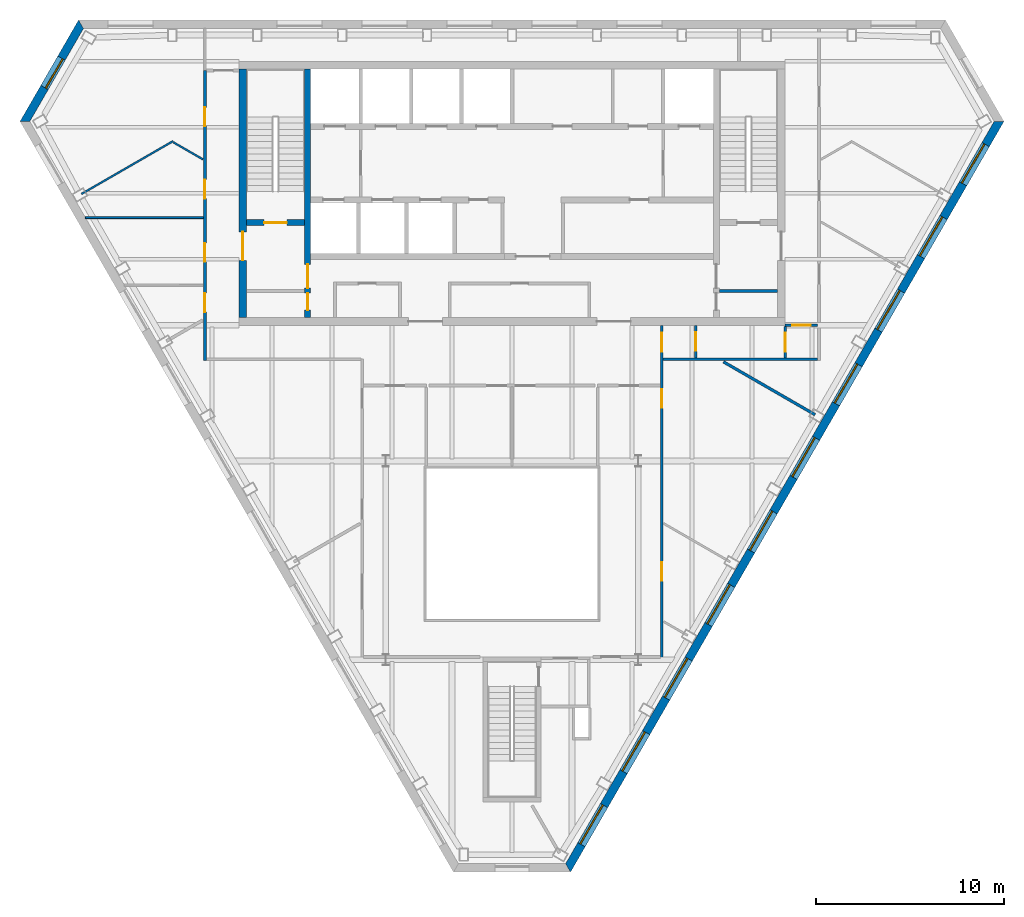
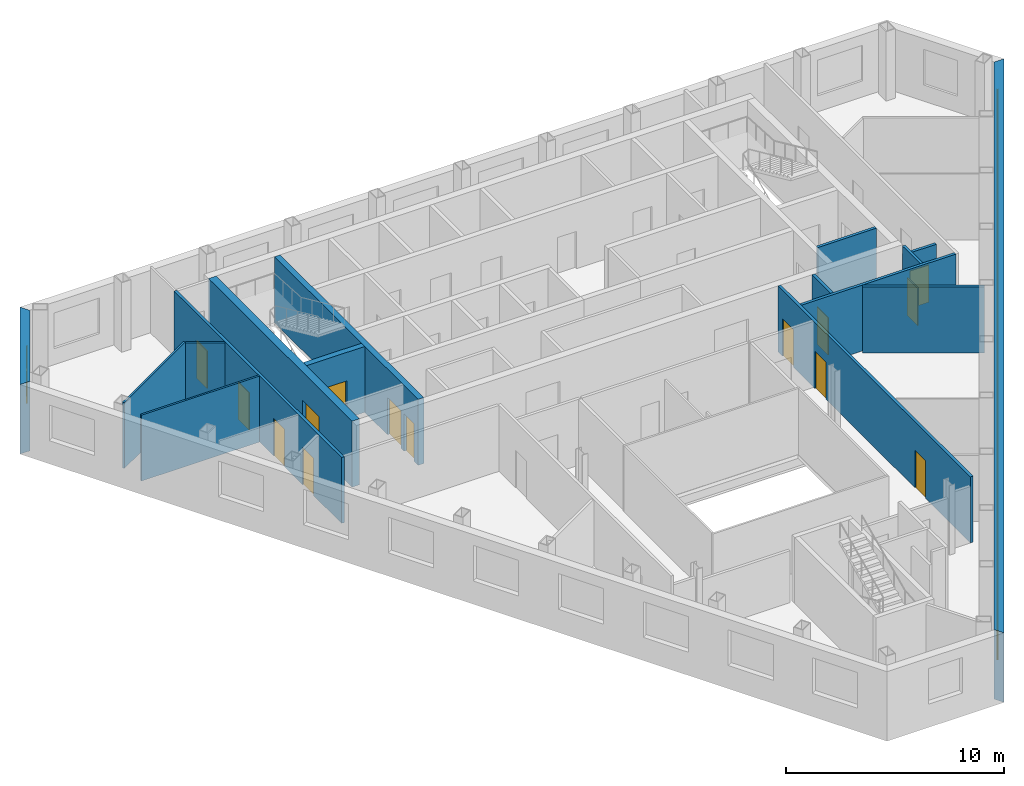
# One storey, part 5 of 10: 16 walls, 14 doors, 11 windows, 25 openings.
"""IFC4 building model written with IfcOpenShell, lengths in metres."""

from ifc_helpers import new_model, si_unit, direction, frame, frame_2d, origin, place, context, subcontext, project, spatial, polyline, rectangle, outline, extrude, material, layer, layer_set, type_object, element, fill, save


model = new_model("IFC4")

# Units and contexts
model_context = context("Model", 3, precision=1e-05, world=origin(), true_north=direction((0.0, 1.0)))
body_context = subcontext(model_context, "Body", "Model", "MODEL_VIEW")
ifc_project = project(units=[si_unit("LENGTHUNIT", "METRE"), si_unit("AREAUNIT", "SQUARE_METRE"), si_unit("VOLUMEUNIT", "CUBIC_METRE"), si_unit("PLANEANGLEUNIT", "RADIAN"), si_unit("MASSUNIT", "GRAM", prefix="KILO")], contexts=[model_context])

# Site, building, storey
site_placement = place(None, origin())
site = spatial("IfcSite", under=ifc_project, at=site_placement, CompositionType="ELEMENT")
building_placement = place(site_placement, origin())
building = spatial("IfcBuilding", under=site, at=building_placement, Name="Njiva Tower", CompositionType="ELEMENT")
storey_placement = place(building_placement, frame((0.0, 0.0, 249.3)))
storey = spatial("IfcBuildingStorey", under=building, at=storey_placement, Name="L56", CompositionType="ELEMENT", Elevation=249.3)

# Wall
ifc_material_1 = material(Name="Blockwork", Category="masonry")
ifc_layer_1 = layer(ifc_material_1, 0.15)
ifc_layer_set_1 = layer_set([ifc_layer_1], Name="Blockwork")
wall_type_1 = type_object("IfcWallType", Name="WT1 Compartment partition 150", PredefinedType="PARTITIONING", material=ifc_layer_set_1)
wall_1_placement = place(storey_placement, frame((11.0, 5.825, 0.0), z_axis=(0.0, 0.0, 1.0), x_axis=(1.0, 0.0, 0.0)))
element("IfcWall", 1, at=wall_1_placement, inside=storey, type_object=wall_type_1, Name="Room wall B", PredefinedType="PARTITIONING", context=body_context, shape_type="SweptSolid", body=[
    extrude(rectangle(XDim=3.1, YDim=0.15, at=frame_2d((1.55, 0.0))), origin(), (0.0, 0.0, 1.0), 3.7),
])

# Wall, openings, doors
ifc_material_2 = material(Name="Concrete C40/50", Category="concrete")
ifc_layer_2 = layer(ifc_material_2, 0.3)
ifc_layer_set_2 = layer_set([ifc_layer_2], Name="Concrete C40/50")
wall_type_2 = type_object("IfcWallType", Name="WT10 Stair enclosure wall 300", PredefinedType="SHEAR", material=ifc_layer_set_2)
wall_2_placement = place(storey_placement, frame((-10.85, 4.4, 0.0), z_axis=(0.0, 0.0, 1.0), x_axis=(0.0, 1.0, 0.0)))
wall_2 = element("IfcWall", 2, at=wall_2_placement, inside=storey, type_object=wall_type_2, Name="Stair wall west inner", PredefinedType="SHEAR", context=body_context, shape_type="SweptSolid", body=[
    extrude(rectangle(XDim=13.2, YDim=0.3, at=frame_2d((6.6, 0.0))), origin(), (0.0, 0.0, 1.0), 3.7),
])
opening_1_placement = place(wall_2_placement, frame((1.575, 0.0, 0.0)))
opening_1 = element("IfcOpeningElement", 3, at=opening_1_placement, cuts=wall_2, Name="Opening S18-D915", PredefinedType="OPENING", context=body_context, shape_type="SweptSolid", body=[
    extrude(rectangle(XDim=1.25, YDim=2.1, at=frame_2d((0.625, 1.05))), frame((0.0, 0.16, 0.0), z_axis=(0.0, -1.0, 0.0), x_axis=(1.0, 0.0, 0.0)), (0.0, 0.0, 1.0), 0.32),
])
opening_2_placement = place(wall_2_placement, frame((0.4, 0.0, 0.0)))
opening_2 = element("IfcOpeningElement", 4, at=opening_2_placement, cuts=wall_2, Name="Opening S18-D917", PredefinedType="OPENING", context=body_context, shape_type="SweptSolid", body=[
    extrude(rectangle(XDim=0.9, YDim=2.1, at=frame_2d((0.45, 1.05))), frame((0.0, 0.16, 0.0), z_axis=(0.0, -1.0, 0.0), x_axis=(1.0, 0.0, 0.0)), (0.0, 0.0, 1.0), 0.32),
])
ifc_material_3 = material(Name="Steel door, painted", Category="steel")
door_type_1 = type_object("IfcDoorType", Name="D13 Steel door 900x2100", OperationType="SINGLE_SWING_LEFT", PredefinedType="DOOR", material=ifc_material_3)
door_1_placement = place(opening_2_placement, origin())
door_1 = element("IfcDoor", 5, at=door_1_placement, inside=storey, type_object=door_type_1, Name="Prayer room door", OperationType="SINGLE_SWING_RIGHT", OverallHeight=2.1, OverallWidth=0.9, PredefinedType="DOOR", context=body_context, shape_type="SweptSolid", body=[
    extrude(rectangle(XDim=0.9, YDim=2.1, at=frame_2d((0.45, 1.05))), frame((0.0, 0.025, 0.0), z_axis=(0.0, -1.0, 0.0), x_axis=(1.0, 0.0, 0.0)), (0.0, 0.0, 1.0), 0.05),
])
fill(opening_2, door_1)
ifc_material_4 = material(Name="Glazed steel fire door", Category="steel")
door_type_2 = type_object("IfcDoorType", Name="D8 Vestibule corridor door 1250x2100 glazed", OperationType="SINGLE_SWING_LEFT", PredefinedType="DOOR", material=ifc_material_4)
door_2_placement = place(opening_1_placement, origin())
door_2 = element("IfcDoor", 6, at=door_2_placement, inside=storey, type_object=door_type_2, Name="Stair vestibule corridor door", OperationType="SINGLE_SWING_LEFT", OverallHeight=2.1, OverallWidth=1.25, PredefinedType="DOOR", context=body_context, shape_type="SweptSolid", body=[
    extrude(rectangle(XDim=1.25, YDim=2.1, at=frame_2d((0.625, 1.05))), frame((0.0, 0.025, 0.0), z_axis=(0.0, -1.0, 0.0), x_axis=(1.0, 0.0, 0.0)), (0.0, 0.0, 1.0), 0.05),
])
fill(opening_1, door_2)

# Wall, opening, door
wall_3_placement = place(storey_placement, frame((-14.1, 9.45, 0.0), z_axis=(0.0, 0.0, 1.0), x_axis=(1.0, 0.0, 0.0)))
wall_3 = element("IfcWall", 7, at=wall_3_placement, inside=storey, type_object=wall_type_2, Name="Stair A south wall", PredefinedType="SHEAR", context=body_context, shape_type="SweptSolid", body=[
    extrude(rectangle(XDim=3.1, YDim=0.3, at=frame_2d((1.55, 0.0))), origin(), (0.0, 0.0, 1.0), 3.7),
])
opening_3_placement = place(wall_3_placement, frame((0.95, 0.0, 0.0)))
opening_3 = element("IfcOpeningElement", 8, at=opening_3_placement, cuts=wall_3, Name="Opening S18-D914", PredefinedType="OPENING", context=body_context, shape_type="SweptSolid", body=[
    extrude(rectangle(XDim=1.2, YDim=2.1, at=frame_2d((0.6, 1.05))), frame((0.0, 0.16, 0.0), z_axis=(0.0, -1.0, 0.0), x_axis=(1.0, 0.0, 0.0)), (0.0, 0.0, 1.0), 0.32),
])
door_type_3 = type_object("IfcDoorType", Name="D7 Stair vestibule door 1200x2100 glazed", OperationType="SINGLE_SWING_LEFT", PredefinedType="DOOR", material=ifc_material_4)
door_3_placement = place(opening_3_placement, origin())
door_3 = element("IfcDoor", 9, at=door_3_placement, inside=storey, type_object=door_type_3, Name="Stair A door", OperationType="SINGLE_SWING_LEFT", OverallHeight=2.1, OverallWidth=1.2, PredefinedType="DOOR", context=body_context, shape_type="SweptSolid", body=[
    extrude(rectangle(XDim=1.2, YDim=2.1, at=frame_2d((0.6, 1.05))), frame((0.0, 0.025, 0.0), z_axis=(0.0, -1.0, 0.0), x_axis=(1.0, 0.0, 0.0)), (0.0, 0.0, 1.0), 0.05),
])
fill(opening_3, door_3)

ifc_material_5 = material(Name="Concrete C60/75", Category="concrete")
ifc_layer_3 = layer(ifc_material_5, 0.4)
ifc_layer_set_3 = layer_set([ifc_layer_3], Name="Concrete C60/75")
wall_type_3 = type_object("IfcWallType", Name="WT11 Core wall 400", PredefinedType="SHEAR", material=ifc_layer_set_3)
wall_4_placement = place(storey_placement, frame((-14.3, 4.4, 0.0), z_axis=(0.0, 0.0, 1.0), x_axis=(0.0, 1.0, 0.0)))
wall_4 = element("IfcWall", 10, at=wall_4_placement, inside=storey, type_object=wall_type_3, Name="Core wall west", PredefinedType="SHEAR", context=body_context, shape_type="SweptSolid", body=[
    extrude(rectangle(XDim=13.2, YDim=0.4, at=frame_2d((6.6, 0.0))), origin(), (0.0, 0.0, 1.0), 3.7),
])
opening_4_placement = place(wall_4_placement, frame((3.05, 0.0, 0.0)))
opening_4 = element("IfcOpeningElement", 11, at=opening_4_placement, cuts=wall_4, Name="Opening S18-D916", PredefinedType="OPENING", context=body_context, shape_type="SweptSolid", body=[
    extrude(rectangle(XDim=1.5, YDim=2.1, at=frame_2d((0.75, 1.05))), frame((0.0, 0.21, 0.0), z_axis=(0.0, -1.0, 0.0), x_axis=(1.0, 0.0, 0.0)), (0.0, 0.0, 1.0), 0.42),
])
door_type_4 = type_object("IfcDoorType", Name="D10 Exit door double 1500x2100 glazed", OperationType="DOUBLE_DOOR_SINGLE_SWING", PredefinedType="DOOR", material=ifc_material_4)
door_4_placement = place(opening_4_placement, origin())
door_4 = element("IfcDoor", 12, at=door_4_placement, inside=storey, type_object=door_type_4, Name="Stair A corridor door", OperationType="DOUBLE_DOOR_SINGLE_SWING", OverallHeight=2.1, OverallWidth=1.5, PredefinedType="DOOR", context=body_context, shape_type="SweptSolid", body=[
    extrude(rectangle(XDim=1.5, YDim=2.1, at=frame_2d((0.75, 1.05))), frame((0.0, 0.025, 0.0), z_axis=(0.0, -1.0, 0.0), x_axis=(1.0, 0.0, 0.0)), (0.0, 0.0, 1.0), 0.05),
])
fill(opening_4, door_4)

# Walls
ifc_material_6 = material(Name="Gypsum board on steel studs", Category="gypsum")
ifc_layer_4 = layer(ifc_material_6, 0.1)
ifc_layer_set_4 = layer_set([ifc_layer_4], Name="Gypsum board on steel studs")
wall_type_4 = type_object("IfcWallType", Name="WT20 Gypsum partition 100", PredefinedType="PARTITIONING", material=ifc_layer_set_4)
wall_5_placement = place(storey_placement, frame((-22.846, 10.969, 0.0), z_axis=(0.0, 0.0, 1.0), x_axis=(0.866182615826, 0.499727601839, 0.0)))
element("IfcWall", 13, at=wall_5_placement, inside=storey, type_object=wall_type_4, Name="Partition S18-P001", PredefinedType="PARTITIONING", context=body_context, shape_type="SweptSolid", body=[
    extrude(rectangle(XDim=5.6051, YDim=0.1, at=frame_2d((2.8026, 0.0))), origin(), (0.0, 0.0, 1.0), 3.7),
])
wall_6_placement = place(storey_placement, frame((-22.638, 9.711, 0.0), z_axis=(0.0, 0.0, 1.0), x_axis=(1.0, 0.0, 0.0)))
element("IfcWall", 14, at=wall_6_placement, inside=storey, type_object=wall_type_4, Name="Partition S18-P002", PredefinedType="PARTITIONING", context=body_context, shape_type="SweptSolid", body=[
    extrude(rectangle(XDim=6.263, YDim=0.1, at=frame_2d((3.1315, 0.0))), origin(), (0.0, 0.0, 1.0), 3.7),
])
wall_7_placement = place(storey_placement, frame((-17.975, 13.711, 0.0), z_axis=(0.0, 0.0, 1.0), x_axis=(0.866341220787, -0.499452589508, 0.0)))
element("IfcWall", 15, at=wall_7_placement, inside=storey, type_object=wall_type_4, Name="Partition S18-P005", PredefinedType="PARTITIONING", context=body_context, shape_type="SweptSolid", body=[
    extrude(rectangle(XDim=1.818, YDim=0.1, at=frame_2d((0.909, 0.0))), origin(), (0.0, 0.0, 1.0), 3.7),
])

# Wall, openings, doors
ifc_layer_5 = layer(ifc_material_6, 0.15)
ifc_layer_set_5 = layer_set([ifc_layer_5], Name="Gypsum board on steel studs")
wall_type_5 = type_object("IfcWallType", Name="WT21 Compartment wall 150", PredefinedType="PARTITIONING", material=ifc_layer_set_5)
wall_8_placement = place(storey_placement, frame((-16.3, 2.125, 0.0), z_axis=(0.0, 0.0, 1.0), x_axis=(0.0, 1.0, 0.0)))
wall_8 = element("IfcWall", 16, at=wall_8_placement, inside=storey, type_object=wall_type_5, Name="Partition S18-P006", PredefinedType="PARTITIONING", context=body_context, shape_type="SweptSolid", body=[
    extrude(rectangle(XDim=15.406, YDim=0.15, at=frame_2d((7.703, 0.0))), origin(), (0.0, 0.0, 1.0), 3.7),
])
opening_5_placement = place(wall_8_placement, frame((2.576, 0.0, 0.0)))
opening_5 = element("IfcOpeningElement", 17, at=opening_5_placement, cuts=wall_8, Name="Opening S18-D001", PredefinedType="OPENING", context=body_context, shape_type="SweptSolid", body=[
    extrude(rectangle(XDim=1.0, YDim=2.1, at=frame_2d((0.5, 1.05))), frame((0.0, 0.085, 0.0), z_axis=(0.0, -1.0, 0.0), x_axis=(1.0, 0.0, 0.0)), (0.0, 0.0, 1.0), 0.17),
])
opening_6_placement = place(wall_8_placement, frame((5.24, 0.0, 0.0)))
opening_6 = element("IfcOpeningElement", 18, at=opening_6_placement, cuts=wall_8, Name="Opening S18-D002", PredefinedType="OPENING", context=body_context, shape_type="SweptSolid", body=[
    extrude(rectangle(XDim=1.0, YDim=2.1, at=frame_2d((0.5, 1.05))), frame((0.0, 0.085, 0.0), z_axis=(0.0, -1.0, 0.0), x_axis=(1.0, 0.0, 0.0)), (0.0, 0.0, 1.0), 0.17),
])
opening_7_placement = place(wall_8_placement, frame((8.602, 0.0, 0.0)))
opening_7 = element("IfcOpeningElement", 19, at=opening_7_placement, cuts=wall_8, Name="Opening S18-D003", PredefinedType="OPENING", context=body_context, shape_type="SweptSolid", body=[
    extrude(rectangle(XDim=1.0, YDim=2.1, at=frame_2d((0.5, 1.05))), frame((0.0, 0.085, 0.0), z_axis=(0.0, -1.0, 0.0), x_axis=(1.0, 0.0, 0.0)), (0.0, 0.0, 1.0), 0.17),
])
opening_8_placement = place(wall_8_placement, frame((12.438, 0.0, 0.0)))
opening_8 = element("IfcOpeningElement", 20, at=opening_8_placement, cuts=wall_8, Name="Opening S18-D004", PredefinedType="OPENING", context=body_context, shape_type="SweptSolid", body=[
    extrude(rectangle(XDim=1.0, YDim=2.1, at=frame_2d((0.5, 1.05))), frame((0.0, 0.085, 0.0), z_axis=(0.0, -1.0, 0.0), x_axis=(1.0, 0.0, 0.0)), (0.0, 0.0, 1.0), 0.17),
])
ifc_material_7 = material(Name="Steel fire door set", Category="steel")
door_type_5 = type_object("IfcDoorType", Name="D37 Fire door 1000x2100", OperationType="SINGLE_SWING_LEFT", PredefinedType="DOOR", material=ifc_material_7)
door_5_placement = place(opening_5_placement, origin())
door_5 = element("IfcDoor", 21, at=door_5_placement, inside=storey, type_object=door_type_5, Name="Door S18-D001", OperationType="SINGLE_SWING_RIGHT", OverallHeight=2.1, OverallWidth=1.0, PredefinedType="DOOR", context=body_context, shape_type="SweptSolid", body=[
    extrude(rectangle(XDim=1.0, YDim=2.1, at=frame_2d((0.5, 1.05))), frame((0.0, 0.025, 0.0), z_axis=(0.0, -1.0, 0.0), x_axis=(1.0, 0.0, 0.0)), (0.0, 0.0, 1.0), 0.05),
])
fill(opening_5, door_5)
door_6_placement = place(opening_6_placement, origin())
door_6 = element("IfcDoor", 22, at=door_6_placement, inside=storey, type_object=door_type_5, Name="Door S18-D002", OperationType="SINGLE_SWING_RIGHT", OverallHeight=2.1, OverallWidth=1.0, PredefinedType="DOOR", context=body_context, shape_type="SweptSolid", body=[
    extrude(rectangle(XDim=1.0, YDim=2.1, at=frame_2d((0.5, 1.05))), frame((0.0, 0.025, 0.0), z_axis=(0.0, -1.0, 0.0), x_axis=(1.0, 0.0, 0.0)), (0.0, 0.0, 1.0), 0.05),
])
fill(opening_6, door_6)
door_7_placement = place(opening_7_placement, origin())
door_7 = element("IfcDoor", 23, at=door_7_placement, inside=storey, type_object=door_type_5, Name="Door S18-D003", OperationType="SINGLE_SWING_LEFT", OverallHeight=2.1, OverallWidth=1.0, PredefinedType="DOOR", context=body_context, shape_type="SweptSolid", body=[
    extrude(rectangle(XDim=1.0, YDim=2.1, at=frame_2d((0.5, 1.05))), frame((0.0, 0.025, 0.0), z_axis=(0.0, -1.0, 0.0), x_axis=(1.0, 0.0, 0.0)), (0.0, 0.0, 1.0), 0.05),
])
fill(opening_7, door_7)
door_8_placement = place(opening_8_placement, origin())
door_8 = element("IfcDoor", 24, at=door_8_placement, inside=storey, type_object=door_type_5, Name="Door S18-D004", OperationType="SINGLE_SWING_LEFT", OverallHeight=2.1, OverallWidth=1.0, PredefinedType="DOOR", context=body_context, shape_type="SweptSolid", body=[
    extrude(rectangle(XDim=1.0, YDim=2.1, at=frame_2d((0.5, 1.05))), frame((0.0, 0.025, 0.0), z_axis=(0.0, -1.0, 0.0), x_axis=(1.0, 0.0, 0.0)), (0.0, 0.0, 1.0), 0.05),
])
fill(opening_8, door_8)

wall_9_placement = place(storey_placement, frame((7.95, -13.675, 0.0), z_axis=(0.0, 0.0, 1.0), x_axis=(0.0, 1.0, 0.0)))
wall_9 = element("IfcWall", 25, at=wall_9_placement, inside=storey, type_object=wall_type_5, Name="Partition S18-P021", PredefinedType="PARTITIONING", context=body_context, shape_type="SweptSolid", body=[
    extrude(rectangle(XDim=17.675, YDim=0.15, at=frame_2d((8.8375, 0.0))), origin(), (0.0, 0.0, 1.0), 3.7),
])
opening_9_placement = place(wall_9_placement, frame((4.109, 0.0, 0.0)))
opening_9 = element("IfcOpeningElement", 26, at=opening_9_placement, cuts=wall_9, Name="Opening S18-D014", PredefinedType="OPENING", context=body_context, shape_type="SweptSolid", body=[
    extrude(rectangle(XDim=1.0, YDim=2.1, at=frame_2d((0.5, 1.05))), frame((0.0, 0.085, 0.0), z_axis=(0.0, -1.0, 0.0), x_axis=(1.0, 0.0, 0.0)), (0.0, 0.0, 1.0), 0.17),
])
opening_10_placement = place(wall_9_placement, frame((13.287, 0.0, 0.0)))
opening_10 = element("IfcOpeningElement", 27, at=opening_10_placement, cuts=wall_9, Name="Opening S18-D015", PredefinedType="OPENING", context=body_context, shape_type="SweptSolid", body=[
    extrude(rectangle(XDim=1.0, YDim=2.1, at=frame_2d((0.5, 1.05))), frame((0.0, 0.085, 0.0), z_axis=(0.0, -1.0, 0.0), x_axis=(1.0, 0.0, 0.0)), (0.0, 0.0, 1.0), 0.17),
])
opening_11_placement = place(wall_9_placement, frame((16.275, 0.0, 0.0)))
opening_11 = element("IfcOpeningElement", 28, at=opening_11_placement, cuts=wall_9, Name="Opening S18-D016", PredefinedType="OPENING", context=body_context, shape_type="SweptSolid", body=[
    extrude(rectangle(XDim=1.0, YDim=2.1, at=frame_2d((0.5, 1.05))), frame((0.0, 0.085, 0.0), z_axis=(0.0, -1.0, 0.0), x_axis=(1.0, 0.0, 0.0)), (0.0, 0.0, 1.0), 0.17),
])
door_9_placement = place(opening_9_placement, origin())
door_9 = element("IfcDoor", 29, at=door_9_placement, inside=storey, type_object=door_type_5, Name="Door S18-D014", OperationType="SINGLE_SWING_LEFT", OverallHeight=2.1, OverallWidth=1.0, PredefinedType="DOOR", context=body_context, shape_type="SweptSolid", body=[
    extrude(rectangle(XDim=1.0, YDim=2.1, at=frame_2d((0.5, 1.05))), frame((0.0, 0.025, 0.0), z_axis=(0.0, -1.0, 0.0), x_axis=(1.0, 0.0, 0.0)), (0.0, 0.0, 1.0), 0.05),
])
fill(opening_9, door_9)
door_10_placement = place(opening_10_placement, origin())
door_10 = element("IfcDoor", 30, at=door_10_placement, inside=storey, type_object=door_type_5, Name="Door S18-D015", OperationType="SINGLE_SWING_RIGHT", OverallHeight=2.1, OverallWidth=1.0, PredefinedType="DOOR", context=body_context, shape_type="SweptSolid", body=[
    extrude(rectangle(XDim=1.0, YDim=2.1, at=frame_2d((0.5, 1.05))), frame((0.0, 0.025, 0.0), z_axis=(0.0, -1.0, 0.0), x_axis=(1.0, 0.0, 0.0)), (0.0, 0.0, 1.0), 0.05),
])
fill(opening_10, door_10)
door_11_placement = place(opening_11_placement, origin())
door_11 = element("IfcDoor", 31, at=door_11_placement, inside=storey, type_object=door_type_5, Name="Door S18-D016", OperationType="SINGLE_SWING_RIGHT", OverallHeight=2.1, OverallWidth=1.0, PredefinedType="DOOR", context=body_context, shape_type="SweptSolid", body=[
    extrude(rectangle(XDim=1.0, YDim=2.1, at=frame_2d((0.5, 1.05))), frame((0.0, 0.025, 0.0), z_axis=(0.0, -1.0, 0.0), x_axis=(1.0, 0.0, 0.0)), (0.0, 0.0, 1.0), 0.05),
])
fill(opening_11, door_11)

# Wall
wall_10_placement = place(storey_placement, frame((8.025, 2.2, 0.0), z_axis=(0.0, 0.0, 1.0), x_axis=(1.0, 0.0, 0.0)))
element("IfcWall", 32, at=wall_10_placement, inside=storey, type_object=wall_type_5, Name="Partition S18-P022", PredefinedType="PARTITIONING", context=body_context, shape_type="SweptSolid", body=[
    extrude(rectangle(XDim=8.2, YDim=0.15, at=frame_2d((4.1, 0.0))), origin(), (0.0, 0.0, 1.0), 3.7),
])

# Wall, opening, door
wall_11_placement = place(storey_placement, frame((9.75, 2.275, 0.0), z_axis=(0.0, 0.0, 1.0), x_axis=(0.0, 1.0, 0.0)))
wall_11 = element("IfcWall", 33, at=wall_11_placement, inside=storey, type_object=wall_type_5, Name="Partition S18-P025", PredefinedType="PARTITIONING", context=body_context, shape_type="SweptSolid", body=[
    extrude(rectangle(XDim=1.725, YDim=0.15, at=frame_2d((0.8625, 0.0))), origin(), (0.0, 0.0, 1.0), 3.7),
])
opening_12_placement = place(wall_11_placement, frame((0.362, 0.0, 0.0)))
opening_12 = element("IfcOpeningElement", 34, at=opening_12_placement, cuts=wall_11, Name="Opening S18-D017", PredefinedType="OPENING", context=body_context, shape_type="SweptSolid", body=[
    extrude(rectangle(XDim=1.0, YDim=2.1, at=frame_2d((0.5, 1.05))), frame((0.0, 0.085, 0.0), z_axis=(0.0, -1.0, 0.0), x_axis=(1.0, 0.0, 0.0)), (0.0, 0.0, 1.0), 0.17),
])
door_12_placement = place(opening_12_placement, origin())
door_12 = element("IfcDoor", 35, at=door_12_placement, inside=storey, type_object=door_type_5, Name="Door S18-D017", OperationType="SINGLE_SWING_LEFT", OverallHeight=2.1, OverallWidth=1.0, PredefinedType="DOOR", context=body_context, shape_type="SweptSolid", body=[
    extrude(rectangle(XDim=1.0, YDim=2.1, at=frame_2d((0.5, 1.05))), frame((0.0, 0.025, 0.0), z_axis=(0.0, -1.0, 0.0), x_axis=(1.0, 0.0, 0.0)), (0.0, 0.0, 1.0), 0.05),
])
fill(opening_12, door_12)

# Wall
wall_12_placement = place(storey_placement, frame((11.221, 2.06, 0.0), z_axis=(0.0, 0.0, 1.0), x_axis=(0.866108468144, -0.499856100702, 0.0)))
element("IfcWall", 36, at=wall_12_placement, inside=storey, type_object=wall_type_5, Name="Partition S18-P026", PredefinedType="PARTITIONING", context=body_context, shape_type="SweptSolid", body=[
    extrude(rectangle(XDim=5.6136, YDim=0.15, at=frame_2d((2.8068, 0.0))), origin(), (0.0, 0.0, 1.0), 3.7),
])

# Wall, opening, door
wall_13_placement = place(storey_placement, frame((14.5, 2.275, 0.0), z_axis=(0.0, 0.0, 1.0), x_axis=(0.0, 1.0, 0.0)))
wall_13 = element("IfcWall", 37, at=wall_13_placement, inside=storey, type_object=wall_type_5, Name="Partition S18-P028", PredefinedType="PARTITIONING", context=body_context, shape_type="SweptSolid", body=[
    extrude(rectangle(XDim=1.65, YDim=0.15, at=frame_2d((0.825, 0.0))), origin(), (0.0, 0.0, 1.0), 3.7),
])
opening_13_placement = place(wall_13_placement, frame((0.325, 0.0, 0.0)))
opening_13 = element("IfcOpeningElement", 38, at=opening_13_placement, cuts=wall_13, Name="Opening S18-D018", PredefinedType="OPENING", context=body_context, shape_type="SweptSolid", body=[
    extrude(rectangle(XDim=1.0, YDim=2.1, at=frame_2d((0.5, 1.05))), frame((0.0, 0.085, 0.0), z_axis=(0.0, -1.0, 0.0), x_axis=(1.0, 0.0, 0.0)), (0.0, 0.0, 1.0), 0.17),
])
door_13_placement = place(opening_13_placement, origin())
door_13 = element("IfcDoor", 39, at=door_13_placement, inside=storey, type_object=door_type_5, Name="Door S18-D018", OperationType="SINGLE_SWING_LEFT", OverallHeight=2.1, OverallWidth=1.0, PredefinedType="DOOR", context=body_context, shape_type="SweptSolid", body=[
    extrude(rectangle(XDim=1.0, YDim=2.1, at=frame_2d((0.5, 1.05))), frame((0.0, 0.025, 0.0), z_axis=(0.0, -1.0, 0.0), x_axis=(1.0, 0.0, 0.0)), (0.0, 0.0, 1.0), 0.05),
])
fill(opening_13, door_13)

wall_14_placement = place(storey_placement, frame((14.5, 4.0, 0.0), z_axis=(0.0, 0.0, 1.0), x_axis=(1.0, 0.0, 0.0)))
wall_14 = element("IfcWall", 40, at=wall_14_placement, inside=storey, type_object=wall_type_5, Name="Partition S18-P029", PredefinedType="PARTITIONING", context=body_context, shape_type="SweptSolid", body=[
    extrude(rectangle(XDim=1.725, YDim=0.15, at=frame_2d((0.8625, 0.0))), origin(), (0.0, 0.0, 1.0), 3.16),
])
opening_14_placement = place(wall_14_placement, frame((0.363, 0.0, 0.0)))
opening_14 = element("IfcOpeningElement", 41, at=opening_14_placement, cuts=wall_14, Name="Opening S18-D019", PredefinedType="OPENING", context=body_context, shape_type="SweptSolid", body=[
    extrude(rectangle(XDim=1.0, YDim=2.1, at=frame_2d((0.5, 1.05))), frame((0.0, 0.085, 0.0), z_axis=(0.0, -1.0, 0.0), x_axis=(1.0, 0.0, 0.0)), (0.0, 0.0, 1.0), 0.17),
])
door_14_placement = place(opening_14_placement, origin())
door_14 = element("IfcDoor", 42, at=door_14_placement, inside=storey, type_object=door_type_5, Name="Door S18-D019", OperationType="SINGLE_SWING_LEFT", OverallHeight=2.1, OverallWidth=1.0, PredefinedType="DOOR", context=body_context, shape_type="SweptSolid", body=[
    extrude(rectangle(XDim=1.0, YDim=2.1, at=frame_2d((0.5, 1.05))), frame((0.0, 0.025, 0.0), z_axis=(0.0, -1.0, 0.0), x_axis=(1.0, 0.0, 0.0)), (0.0, 0.0, 1.0), 0.05),
])
fill(opening_14, door_14)

# Wall, openings, windows
ifc_material_8 = material(Name="Brick masonry", Category="masonry")
ifc_layer_6 = layer(ifc_material_8, 0.45)
ifc_layer_set_6 = layer_set([ifc_layer_6], Name="Brick masonry")
wall_type_6 = type_object("IfcWallType", Name="WT90 Brick pier and spandrel wall 450", PredefinedType="SOLIDWALL", material=ifc_layer_set_6)
wall_15_placement = place(storey_placement, frame((2.9751, -24.7988, -0.4), z_axis=(0.0, 0.0, 1.0), x_axis=(0.500000335318, 0.866025210188, 0.0)))
wall_15 = element("IfcWall", 43, at=wall_15_placement, inside=storey, type_object=wall_type_6, Name="Facade wall SE", PredefinedType="SOLIDWALL", context=body_context, shape_type="SweptSolid", body=[
    extrude(outline(polyline([(-0.1299, -0.225), (45.8801, -0.225), (45.6203, 0.225), (0.1299, 0.225), (-0.1299, -0.225)])), origin(), (0.0, 0.0, 1.0), 3.9),
])
opening_15_placement = place(wall_15_placement, frame((1.4247, 0.0, 1.3)))
opening_15 = element("IfcOpeningElement", 44, at=opening_15_placement, cuts=wall_15, Name="Opening S18-W19", PredefinedType="OPENING", context=body_context, shape_type="SweptSolid", body=[
    extrude(rectangle(XDim=2.4, YDim=2.0, at=frame_2d((1.2, 1.0))), frame((0.0, 0.235, 0.0), z_axis=(0.0, -1.0, 0.0), x_axis=(1.0, 0.0, 0.0)), (0.0, 0.0, 1.0), 0.47),
])
opening_16_placement = place(wall_15_placement, frame((5.8949, 0.0, 1.3)))
opening_16 = element("IfcOpeningElement", 45, at=opening_16_placement, cuts=wall_15, Name="Opening S18-W20", PredefinedType="OPENING", context=body_context, shape_type="SweptSolid", body=[
    extrude(rectangle(XDim=2.4, YDim=2.0, at=frame_2d((1.2, 1.0))), frame((0.0, 0.235, 0.0), z_axis=(0.0, -1.0, 0.0), x_axis=(1.0, 0.0, 0.0)), (0.0, 0.0, 1.0), 0.47),
])
opening_17_placement = place(wall_15_placement, frame((10.4035, 0.0, 1.3)))
opening_17 = element("IfcOpeningElement", 46, at=opening_17_placement, cuts=wall_15, Name="Opening S18-W21", PredefinedType="OPENING", context=body_context, shape_type="SweptSolid", body=[
    extrude(rectangle(XDim=2.4, YDim=2.0, at=frame_2d((1.2, 1.0))), frame((0.0, 0.235, 0.0), z_axis=(0.0, -1.0, 0.0), x_axis=(1.0, 0.0, 0.0)), (0.0, 0.0, 1.0), 0.47),
])
opening_18_placement = place(wall_15_placement, frame((14.9122, 0.0, 1.3)))
opening_18 = element("IfcOpeningElement", 47, at=opening_18_placement, cuts=wall_15, Name="Opening S18-W22", PredefinedType="OPENING", context=body_context, shape_type="SweptSolid", body=[
    extrude(rectangle(XDim=2.4, YDim=2.0, at=frame_2d((1.2, 1.0))), frame((0.0, 0.235, 0.0), z_axis=(0.0, -1.0, 0.0), x_axis=(1.0, 0.0, 0.0)), (0.0, 0.0, 1.0), 0.47),
])
opening_19_placement = place(wall_15_placement, frame((19.4208, 0.0, 1.3)))
opening_19 = element("IfcOpeningElement", 48, at=opening_19_placement, cuts=wall_15, Name="Opening S18-W23", PredefinedType="OPENING", context=body_context, shape_type="SweptSolid", body=[
    extrude(rectangle(XDim=2.4, YDim=2.0, at=frame_2d((1.2, 1.0))), frame((0.0, 0.235, 0.0), z_axis=(0.0, -1.0, 0.0), x_axis=(1.0, 0.0, 0.0)), (0.0, 0.0, 1.0), 0.47),
])
opening_20_placement = place(wall_15_placement, frame((23.9294, 0.0, 1.3)))
opening_20 = element("IfcOpeningElement", 49, at=opening_20_placement, cuts=wall_15, Name="Opening S18-W24", PredefinedType="OPENING", context=body_context, shape_type="SweptSolid", body=[
    extrude(rectangle(XDim=2.4, YDim=2.0, at=frame_2d((1.2, 1.0))), frame((0.0, 0.235, 0.0), z_axis=(0.0, -1.0, 0.0), x_axis=(1.0, 0.0, 0.0)), (0.0, 0.0, 1.0), 0.47),
])
opening_21_placement = place(wall_15_placement, frame((28.438, 0.0, 1.3)))
opening_21 = element("IfcOpeningElement", 50, at=opening_21_placement, cuts=wall_15, Name="Opening S18-W25", PredefinedType="OPENING", context=body_context, shape_type="SweptSolid", body=[
    extrude(rectangle(XDim=2.4, YDim=2.0, at=frame_2d((1.2, 1.0))), frame((0.0, 0.235, 0.0), z_axis=(0.0, -1.0, 0.0), x_axis=(1.0, 0.0, 0.0)), (0.0, 0.0, 1.0), 0.47),
])
opening_22_placement = place(wall_15_placement, frame((32.9466, 0.0, 1.3)))
opening_22 = element("IfcOpeningElement", 51, at=opening_22_placement, cuts=wall_15, Name="Opening S18-W26", PredefinedType="OPENING", context=body_context, shape_type="SweptSolid", body=[
    extrude(rectangle(XDim=2.4, YDim=2.0, at=frame_2d((1.2, 1.0))), frame((0.0, 0.235, 0.0), z_axis=(0.0, -1.0, 0.0), x_axis=(1.0, 0.0, 0.0)), (0.0, 0.0, 1.0), 0.47),
])
opening_23_placement = place(wall_15_placement, frame((37.4553, 0.0, 1.3)))
opening_23 = element("IfcOpeningElement", 52, at=opening_23_placement, cuts=wall_15, Name="Opening S18-W27", PredefinedType="OPENING", context=body_context, shape_type="SweptSolid", body=[
    extrude(rectangle(XDim=2.4, YDim=2.0, at=frame_2d((1.2, 1.0))), frame((0.0, 0.235, 0.0), z_axis=(0.0, -1.0, 0.0), x_axis=(1.0, 0.0, 0.0)), (0.0, 0.0, 1.0), 0.47),
])
opening_24_placement = place(wall_15_placement, frame((41.9255, 0.0, 1.3)))
opening_24 = element("IfcOpeningElement", 53, at=opening_24_placement, cuts=wall_15, Name="Opening S18-W28", PredefinedType="OPENING", context=body_context, shape_type="SweptSolid", body=[
    extrude(rectangle(XDim=2.4, YDim=2.0, at=frame_2d((1.2, 1.0))), frame((0.0, 0.235, 0.0), z_axis=(0.0, -1.0, 0.0), x_axis=(1.0, 0.0, 0.0)), (0.0, 0.0, 1.0), 0.47),
])
ifc_material_9 = material(Name="Clear glazing in aluminium frame", Category="aluminium")
window_type_1 = type_object("IfcWindowType", Name="W90 Deep-set window 2400x2000", PartitioningType="SINGLE_PANEL", PredefinedType="WINDOW", material=ifc_material_9)
window_1_placement = place(opening_15_placement, origin())
window_1 = element("IfcWindow", 54, at=window_1_placement, inside=storey, type_object=window_type_1, Name="Window", OverallHeight=2.0, OverallWidth=2.4, PartitioningType="SINGLE_PANEL", PredefinedType="WINDOW", context=body_context, shape_type="SweptSolid", body=[
    extrude(rectangle(XDim=2.4, YDim=2.0, at=frame_2d((1.2, 1.0))), frame((0.0, 0.105, 0.0), z_axis=(0.0, -1.0, 0.0), x_axis=(1.0, 0.0, 0.0)), (0.0, 0.0, 1.0), 0.06),
])
fill(opening_15, window_1)
window_2_placement = place(opening_16_placement, origin())
window_2 = element("IfcWindow", 55, at=window_2_placement, inside=storey, type_object=window_type_1, Name="Window", OverallHeight=2.0, OverallWidth=2.4, PartitioningType="SINGLE_PANEL", PredefinedType="WINDOW", context=body_context, shape_type="SweptSolid", body=[
    extrude(rectangle(XDim=2.4, YDim=2.0, at=frame_2d((1.2, 1.0))), frame((0.0, 0.105, 0.0), z_axis=(0.0, -1.0, 0.0), x_axis=(1.0, 0.0, 0.0)), (0.0, 0.0, 1.0), 0.06),
])
fill(opening_16, window_2)
window_3_placement = place(opening_17_placement, origin())
window_3 = element("IfcWindow", 56, at=window_3_placement, inside=storey, type_object=window_type_1, Name="Window", OverallHeight=2.0, OverallWidth=2.4, PartitioningType="SINGLE_PANEL", PredefinedType="WINDOW", context=body_context, shape_type="SweptSolid", body=[
    extrude(rectangle(XDim=2.4, YDim=2.0, at=frame_2d((1.2, 1.0))), frame((0.0, 0.105, 0.0), z_axis=(0.0, -1.0, 0.0), x_axis=(1.0, 0.0, 0.0)), (0.0, 0.0, 1.0), 0.06),
])
fill(opening_17, window_3)
window_4_placement = place(opening_18_placement, origin())
window_4 = element("IfcWindow", 57, at=window_4_placement, inside=storey, type_object=window_type_1, Name="Window", OverallHeight=2.0, OverallWidth=2.4, PartitioningType="SINGLE_PANEL", PredefinedType="WINDOW", context=body_context, shape_type="SweptSolid", body=[
    extrude(rectangle(XDim=2.4, YDim=2.0, at=frame_2d((1.2, 1.0))), frame((0.0, 0.105, 0.0), z_axis=(0.0, -1.0, 0.0), x_axis=(1.0, 0.0, 0.0)), (0.0, 0.0, 1.0), 0.06),
])
fill(opening_18, window_4)
window_5_placement = place(opening_19_placement, origin())
window_5 = element("IfcWindow", 58, at=window_5_placement, inside=storey, type_object=window_type_1, Name="Window", OverallHeight=2.0, OverallWidth=2.4, PartitioningType="SINGLE_PANEL", PredefinedType="WINDOW", context=body_context, shape_type="SweptSolid", body=[
    extrude(rectangle(XDim=2.4, YDim=2.0, at=frame_2d((1.2, 1.0))), frame((0.0, 0.105, 0.0), z_axis=(0.0, -1.0, 0.0), x_axis=(1.0, 0.0, 0.0)), (0.0, 0.0, 1.0), 0.06),
])
fill(opening_19, window_5)
window_6_placement = place(opening_20_placement, origin())
window_6 = element("IfcWindow", 59, at=window_6_placement, inside=storey, type_object=window_type_1, Name="Window", OverallHeight=2.0, OverallWidth=2.4, PartitioningType="SINGLE_PANEL", PredefinedType="WINDOW", context=body_context, shape_type="SweptSolid", body=[
    extrude(rectangle(XDim=2.4, YDim=2.0, at=frame_2d((1.2, 1.0))), frame((0.0, 0.105, 0.0), z_axis=(0.0, -1.0, 0.0), x_axis=(1.0, 0.0, 0.0)), (0.0, 0.0, 1.0), 0.06),
])
fill(opening_20, window_6)
window_7_placement = place(opening_21_placement, origin())
window_7 = element("IfcWindow", 60, at=window_7_placement, inside=storey, type_object=window_type_1, Name="Window", OverallHeight=2.0, OverallWidth=2.4, PartitioningType="SINGLE_PANEL", PredefinedType="WINDOW", context=body_context, shape_type="SweptSolid", body=[
    extrude(rectangle(XDim=2.4, YDim=2.0, at=frame_2d((1.2, 1.0))), frame((0.0, 0.105, 0.0), z_axis=(0.0, -1.0, 0.0), x_axis=(1.0, 0.0, 0.0)), (0.0, 0.0, 1.0), 0.06),
])
fill(opening_21, window_7)
window_8_placement = place(opening_22_placement, origin())
window_8 = element("IfcWindow", 61, at=window_8_placement, inside=storey, type_object=window_type_1, Name="Window", OverallHeight=2.0, OverallWidth=2.4, PartitioningType="SINGLE_PANEL", PredefinedType="WINDOW", context=body_context, shape_type="SweptSolid", body=[
    extrude(rectangle(XDim=2.4, YDim=2.0, at=frame_2d((1.2, 1.0))), frame((0.0, 0.105, 0.0), z_axis=(0.0, -1.0, 0.0), x_axis=(1.0, 0.0, 0.0)), (0.0, 0.0, 1.0), 0.06),
])
fill(opening_22, window_8)
window_9_placement = place(opening_23_placement, origin())
window_9 = element("IfcWindow", 62, at=window_9_placement, inside=storey, type_object=window_type_1, Name="Window", OverallHeight=2.0, OverallWidth=2.4, PartitioningType="SINGLE_PANEL", PredefinedType="WINDOW", context=body_context, shape_type="SweptSolid", body=[
    extrude(rectangle(XDim=2.4, YDim=2.0, at=frame_2d((1.2, 1.0))), frame((0.0, 0.105, 0.0), z_axis=(0.0, -1.0, 0.0), x_axis=(1.0, 0.0, 0.0)), (0.0, 0.0, 1.0), 0.06),
])
fill(opening_23, window_9)
window_10_placement = place(opening_24_placement, origin())
window_10 = element("IfcWindow", 63, at=window_10_placement, inside=storey, type_object=window_type_1, Name="Window", OverallHeight=2.0, OverallWidth=2.4, PartitioningType="SINGLE_PANEL", PredefinedType="WINDOW", context=body_context, shape_type="SweptSolid", body=[
    extrude(rectangle(XDim=2.4, YDim=2.0, at=frame_2d((1.2, 1.0))), frame((0.0, 0.105, 0.0), z_axis=(0.0, -1.0, 0.0), x_axis=(1.0, 0.0, 0.0)), (0.0, 0.0, 1.0), 0.06),
])
fill(opening_24, window_10)

# Wall, opening, window
ifc_material_10 = material(Name="Brick masonry, buff", Category="masonry")
ifc_layer_7 = layer(ifc_material_10, 0.45)
ifc_layer_set_7 = layer_set([ifc_layer_7], Name="Brick masonry, buff")
wall_type_7 = type_object("IfcWallType", Name="WT94 Brick pier and spandrel wall 450, buff", PredefinedType="SOLIDWALL", material=ifc_layer_set_7)
wall_16_placement = place(storey_placement, frame((-22.8713, 19.9728, -0.4), z_axis=(0.0, 0.0, 1.0), x_axis=(-0.500001772576, -0.866024380385, 0.0)))
wall_16 = element("IfcWall", 64, at=wall_16_placement, inside=storey, type_object=wall_type_7, Name="Facade wall NW", PredefinedType="SOLIDWALL", context=body_context, shape_type="SweptSolid", body=[
    extrude(outline(polyline([(-0.1299, -0.225), (6.0801, -0.225), (5.8203, 0.225), (0.1299, 0.225), (-0.1299, -0.225)])), origin(), (0.0, 0.0, 1.0), 3.9),
])
opening_25_placement = place(wall_16_placement, frame((2.0751, 0.0, 1.3)))
opening_25 = element("IfcOpeningElement", 65, at=opening_25_placement, cuts=wall_16, Name="Opening S18-W08", PredefinedType="OPENING", context=body_context, shape_type="SweptSolid", body=[
    extrude(rectangle(XDim=1.8, YDim=2.0, at=frame_2d((0.9, 1.0))), frame((0.0, 0.235, 0.0), z_axis=(0.0, -1.0, 0.0), x_axis=(1.0, 0.0, 0.0)), (0.0, 0.0, 1.0), 0.47),
])
window_type_2 = type_object("IfcWindowType", Name="W94 Deep-set window 1800x2000", PartitioningType="SINGLE_PANEL", PredefinedType="WINDOW", material=ifc_material_9)
window_11_placement = place(opening_25_placement, origin())
window_11 = element("IfcWindow", 66, at=window_11_placement, inside=storey, type_object=window_type_2, Name="Window", OverallHeight=2.0, OverallWidth=1.8, PartitioningType="SINGLE_PANEL", PredefinedType="WINDOW", context=body_context, shape_type="SweptSolid", body=[
    extrude(rectangle(XDim=1.8, YDim=2.0, at=frame_2d((0.9, 1.0))), frame((0.0, 0.105, 0.0), z_axis=(0.0, -1.0, 0.0), x_axis=(1.0, 0.0, 0.0)), (0.0, 0.0, 1.0), 0.06),
])
fill(opening_25, window_11)

save(model, "model.ifc")
